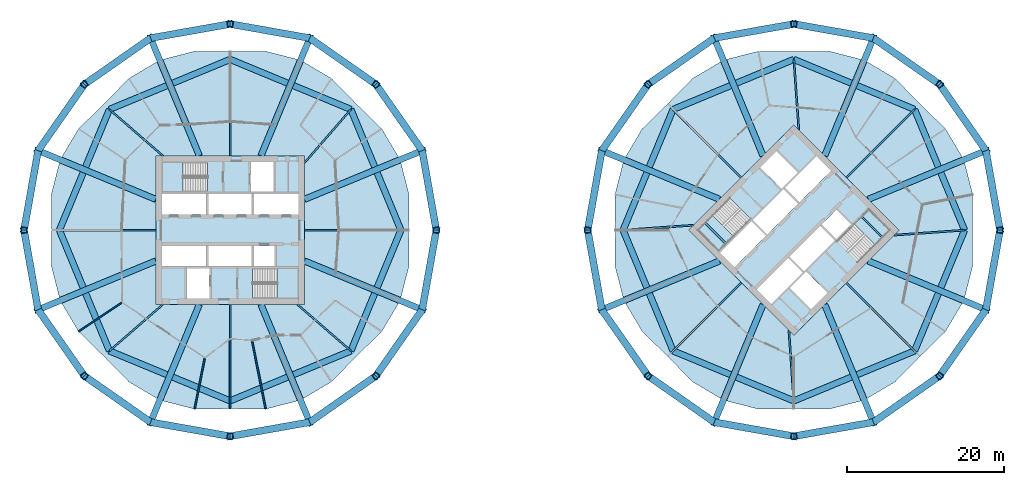
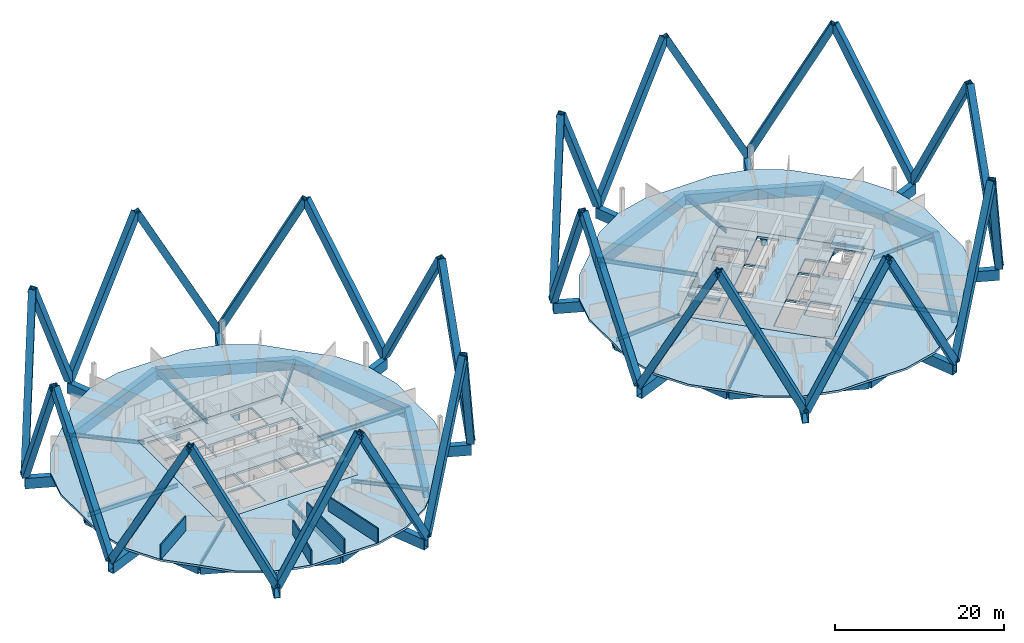
# One storey, part 3 of 9: 50 beams, 32 members, 8 slabs, 4 walls, 4 elements without a shape of their own.
"""IFC4 building model written with IfcOpenShell, lengths in metres."""

from ifc_helpers import new_model, si_unit, direction, frame, frame_2d, origin, origin_2d, place, context, subcontext, project, spatial, polyline, rectangle, hollow_rectangle, i_section, outline, extrude, material, layer, layer_set, material_profile, profile_set, type_object, element, aggregate, save


model = new_model("IFC4")

# Units and contexts
model_context = context("Model", 3, precision=1e-05, world=origin(), true_north=direction((0.0, 1.0)))
body_context = subcontext(model_context, "Body", "Model", "MODEL_VIEW")
ifc_project = project(units=[si_unit("LENGTHUNIT", "METRE"), si_unit("AREAUNIT", "SQUARE_METRE"), si_unit("VOLUMEUNIT", "CUBIC_METRE"), si_unit("PLANEANGLEUNIT", "RADIAN"), si_unit("MASSUNIT", "GRAM", prefix="KILO")], contexts=[model_context])

# Site, building, storey
site_placement = place(None, origin())
site = spatial("IfcSite", under=ifc_project, at=site_placement, CompositionType="ELEMENT")
building_placement = place(site_placement, origin())
building = spatial("IfcBuilding", under=site, at=building_placement, Name="Ogive Gate Towers", CompositionType="ELEMENT")
storey_placement = place(building_placement, frame((0.0, 0.0, 51.89990234375)))
storey = spatial("IfcBuildingStorey", under=building, at=storey_placement, Name="L11", CompositionType="ELEMENT", Elevation=51.89990234375)

# Members
ifc_material_1 = material(Name="Steel SM460", Category="steel")
ifc_material_profile_1 = material_profile(ifc_material_1, hollow_rectangle(XDim=0.89990234375, YDim=0.89990234375, WallThickness=0.10009765625, at=origin_2d()), Name="BX 900x900x100")
ifc_profile_set_1 = profile_set([ifc_material_profile_1], Name="Steel SM460")
member_type = type_object("IfcMemberType", Name="Diagrid diagonal BX 900x900x100", PredefinedType="BRACE", material=ifc_profile_set_1)
for number, where, z_axis, x_axis, name in (
    (1, (-11.470947265625, 10.16015625, 0.0), (0.081635515301, -0.460531869969, 0.883881236018), (0.984649642234, 0.17454249353, 0.0), "T1/L11/SDG001"),
    (2, (-11.470947265625, 10.16015625, 0.0), (-0.26792317626, 0.383376585781, 0.883877573591), (-0.819674069507, -0.572830184067, 0.0), "T1/L11/SDG002"),
    (3, (-25.83984375, 24.529052734375, 0.0), (0.383376585781, -0.26792317626, 0.883877573591), (0.572830184067, 0.819674069507, 0.0), "T1/L11/SDG003"),
    (4, (-25.83984375, 24.529052734375, 0.0), (-0.460531869969, 0.081635515301, 0.883881236018), (-0.17454249353, -0.984649642234, 0.0), "T1/L11/SDG004"),
    (5, (-46.16015625, 24.529052734375, 0.0), (0.460531869969, 0.081635515301, 0.883881236018), (-0.17454249353, 0.984649642234, 0.0), "T1/L11/SDG005"),
    (6, (-46.16015625, 24.529052734375, 0.0), (-0.383376585781, -0.26792317626, 0.883877573591), (0.572830184067, -0.819674069507, 0.0), "T1/L11/SDG006"),
    (7, (-60.529052734375, 10.16015625, 0.0), (0.26792317626, 0.383376585781, 0.883877573591), (-0.819674069507, 0.572830184067, 0.0), "T1/L11/SDG007"),
    (8, (-60.529052734375, 10.16015625, 0.0), (-0.081635515301, -0.460531869969, 0.883881236018), (0.984649642234, -0.17454249353, 0.0), "T1/L11/SDG008"),
    (9, (-60.529052734375, -10.16015625, 0.0), (-0.081635515301, 0.460531869969, 0.883881236018), (-0.984649642234, -0.17454249353, 0.0), "T1/L11/SDG009"),
    (10, (-60.529052734375, -10.16015625, 0.0), (0.26792317626, -0.383376585781, 0.883877573591), (0.819674069507, 0.572830184067, 0.0), "T1/L11/SDG010"),
    (11, (-46.16015625, -24.529052734375, 0.0), (-0.383376585781, 0.26792317626, 0.883877573591), (-0.572830184067, -0.819674069507, 0.0), "T1/L11/SDG011"),
    (12, (-46.16015625, -24.529052734375, 0.0), (0.460531869969, -0.081635515301, 0.883881236018), (0.17454249353, 0.984649642234, 0.0), "T1/L11/SDG012"),
    (13, (-25.83984375, -24.529052734375, 0.0), (-0.460531869969, -0.081635515301, 0.883881236018), (0.17454249353, -0.984649642234, 0.0), "T1/L11/SDG013"),
    (14, (-25.83984375, -24.529052734375, 0.0), (0.383376585781, 0.26792317626, 0.883877573591), (-0.572830184067, 0.819674069507, 0.0), "T1/L11/SDG014"),
    (15, (-11.470947265625, -10.16015625, 0.0), (-0.26792317626, -0.383376585781, 0.883877573591), (0.819674069507, -0.572830184067, 0.0), "T1/L11/SDG015"),
    (16, (-11.470947265625, -10.16015625, 0.0), (0.081635515301, 0.460531869969, 0.883881236018), (-0.984649642234, 0.17454249353, 0.0), "T1/L11/SDG016"),
    (17, (60.529052734375, 10.16015625, 0.0), (0.081635515301, -0.460531869969, 0.883881236018), (0.984649642234, 0.17454249353, 0.0), "T2/L11/SDG001"),
    (18, (60.529052734375, 10.16015625, 0.0), (-0.26792317626, 0.383376585781, 0.883877573591), (-0.819674069507, -0.572830184067, 0.0), "T2/L11/SDG002"),
    (19, (46.16015625, 24.529052734375, 0.0), (0.383376585781, -0.26792317626, 0.883877573591), (0.572830184067, 0.819674069507, 0.0), "T2/L11/SDG003"),
    (20, (46.16015625, 24.529052734375, 0.0), (-0.460531869969, 0.081635515301, 0.883881236018), (-0.17454249353, -0.984649642234, 0.0), "T2/L11/SDG004"),
    (21, (25.83984375, 24.529052734375, 0.0), (0.460531869969, 0.081635515301, 0.883881236018), (-0.17454249353, 0.984649642234, 0.0), "T2/L11/SDG005"),
    (22, (25.83984375, 24.529052734375, 0.0), (-0.383376585781, -0.26792317626, 0.883877573591), (0.572830184067, -0.819674069507, 0.0), "T2/L11/SDG006"),
    (23, (11.470947265625, 10.16015625, 0.0), (0.26792317626, 0.383376585781, 0.883877573591), (-0.819674069507, 0.572830184067, 0.0), "T2/L11/SDG007"),
    (24, (11.470947265625, 10.16015625, 0.0), (-0.081635515301, -0.460531869969, 0.883881236018), (0.984649642234, -0.17454249353, 0.0), "T2/L11/SDG008"),
    (25, (11.470947265625, -10.16015625, 0.0), (-0.081635515301, 0.460531869969, 0.883881236018), (-0.984649642234, -0.17454249353, 0.0), "T2/L11/SDG009"),
    (26, (11.470947265625, -10.16015625, 0.0), (0.26792317626, -0.383376585781, 0.883877573591), (0.819674069507, 0.572830184067, 0.0), "T2/L11/SDG010"),
    (27, (25.83984375, -24.529052734375, 0.0), (-0.383376585781, 0.26792317626, 0.883877573591), (-0.572830184067, -0.819674069507, 0.0), "T2/L11/SDG011"),
    (28, (25.83984375, -24.529052734375, 0.0), (0.460531869969, -0.081635515301, 0.883881236018), (0.17454249353, 0.984649642234, 0.0), "T2/L11/SDG012"),
    (29, (46.16015625, -24.529052734375, 0.0), (-0.460531869969, -0.081635515301, 0.883881236018), (0.17454249353, -0.984649642234, 0.0), "T2/L11/SDG013"),
    (30, (46.16015625, -24.529052734375, 0.0), (0.383376585781, 0.26792317626, 0.883877573591), (-0.572830184067, 0.819674069507, 0.0), "T2/L11/SDG014"),
    (31, (60.529052734375, -10.16015625, 0.0), (-0.26792317626, -0.383376585781, 0.883877573591), (0.819674069507, -0.572830184067, 0.0), "T2/L11/SDG015"),
    (32, (60.529052734375, -10.16015625, 0.0), (0.081635515301, 0.460531869969, 0.883881236018), (-0.984649642234, 0.17454249353, 0.0), "T2/L11/SDG016"),
):
    element("IfcMember", number, at=place(storey_placement, frame(where, z_axis=z_axis, x_axis=x_axis)), inside=storey, type_object=member_type, Name=name, PredefinedType="BRACE", context=body_context, shape_type="SweptSolid", body=[
        extrude(hollow_rectangle(XDim=0.89990234375, YDim=0.89990234375, WallThickness=0.10009765625, at=origin_2d()), origin(), (0.0, 0.0, 1.0), 22.061767578125),
    ])

# Beams
ifc_material_profile_2 = material_profile(ifc_material_1, hollow_rectangle(XDim=0.800048828125, YDim=1.5, WallThickness=0.06005859375, at=origin_2d()), Name="BX 1500x800x60")
ifc_profile_set_2 = profile_set([ifc_material_profile_2], Name="Steel SM460")
beam_type_1 = type_object("IfcBeamType", Name="Edge girder BX 1500x800x60", PredefinedType="BEAM", material=ifc_profile_set_2)
for number, where, z_axis, x_axis, name in (
    (33, (-51.422119140625, -15.422119140625, -1.0498046875), (0.923881893128, -0.382677733282, 0.0), (0.382677733282, 0.923881893128, 0.0), "T1/L11/SBM017"),
    (34, (-36.0, -21.81005859375, -1.0498046875), (0.923881893128, 0.382677733282, 0.0), (-0.382677733282, 0.923881893128, 0.0), "T1/L11/SBM018"),
    (35, (-20.577880859375, -15.422119140625, -1.0498046875), (0.382677733282, 0.923881893128, 0.0), (-0.923881893128, 0.382677733282, 0.0), "T1/L11/SBM019"),
    (36, (-14.18994140625, 0.0, -1.0498046875), (-0.382677733282, 0.923881893128, 0.0), (-0.923881893128, -0.382677733282, 0.0), "T1/L11/SBM020"),
    (37, (-20.577880859375, 15.422119140625, -1.0498046875), (-0.923881893128, 0.382677733282, 0.0), (-0.382677733282, -0.923881893128, 0.0), "T1/L11/SBM021"),
    (38, (-36.0, 21.81005859375, -1.0498046875), (-0.923881893128, -0.382677733282, 0.0), (0.382677733282, -0.923881893128, 0.0), "T1/L11/SBM022"),
    (39, (-51.422119140625, 15.422119140625, -1.0498046875), (-0.382677733282, -0.923881893128, 0.0), (0.923881893128, -0.382677733282, 0.0), "T1/L11/SBM023"),
    (40, (-57.81005859375, 0.0, -1.0498046875), (0.382677733282, -0.923881893128, 0.0), (0.923881893128, 0.382677733282, 0.0), "T1/L11/SBM024"),
    (41, (20.577880859375, -15.422119140625, -1.0498046875), (0.923881893128, -0.382677733282, 0.0), (0.382677733282, 0.923881893128, 0.0), "T2/L11/SBM017"),
    (42, (36.0, -21.81005859375, -1.0498046875), (0.923881893128, 0.382677733282, 0.0), (-0.382677733282, 0.923881893128, 0.0), "T2/L11/SBM018"),
    (43, (51.422119140625, -15.422119140625, -1.0498046875), (0.382677733282, 0.923881893128, 0.0), (-0.923881893128, 0.382677733282, 0.0), "T2/L11/SBM019"),
    (44, (57.81005859375, 0.0, -1.0498046875), (-0.382677733282, 0.923881893128, 0.0), (-0.923881893128, -0.382677733282, 0.0), "T2/L11/SBM020"),
    (45, (51.422119140625, 15.422119140625, -1.0498046875), (-0.923881893128, 0.382677733282, 0.0), (-0.382677733282, -0.923881893128, 0.0), "T2/L11/SBM021"),
    (46, (36.0, 21.81005859375, -1.0498046875), (-0.923881893128, -0.382677733282, 0.0), (0.382677733282, -0.923881893128, 0.0), "T2/L11/SBM022"),
    (47, (20.577880859375, 15.422119140625, -1.0498046875), (-0.382677733282, -0.923881893128, 0.0), (0.923881893128, -0.382677733282, 0.0), "T2/L11/SBM023"),
    (48, (14.18994140625, 0.0, -1.0498046875), (0.382677733282, -0.923881893128, 0.0), (0.923881893128, 0.382677733282, 0.0), "T2/L11/SBM024"),
):
    element("IfcBeam", number, at=place(storey_placement, frame(where, z_axis=z_axis, x_axis=x_axis)), inside=storey, type_object=beam_type_1, Name=name, PredefinedType="BEAM", context=body_context, shape_type="SweptSolid", body=[
        extrude(hollow_rectangle(XDim=0.800048828125, YDim=1.5, WallThickness=0.06005859375, at=origin_2d()), origin(), (0.0, 0.0, 1.0), 16.692626953125),
    ])
ifc_material_2 = material(Name="Concrete C40/50", Category="concrete")
ifc_material_profile_3 = material_profile(ifc_material_2, rectangle(XDim=0.25, YDim=0.300048828125, at=origin_2d()), Name="RC 250x300")
ifc_profile_set_3 = profile_set([ifc_material_profile_3], Name="Concrete C40/50")
beam_type_2 = type_object("IfcBeamType", Name="Landing bearer RC 250x300", PredefinedType="BEAM", material=ifc_profile_set_3)
for number, where, z_axis, x_axis, name in (
    (49, (24.650390625, 0.9541015625, 1.60009765625), (0.707106781187, -0.707106781187, 0.0), (0.707106781187, 0.707106781187, 0.0), "T2 L11 stair 1 landing bearer 1"),
    (50, (47.349609375, -0.9541015625, 1.60009765625), (-0.707106781187, 0.707106781187, 0.0), (-0.707106781187, -0.707106781187, 0.0), "T2 L11 stair 2 landing bearer 1"),
):
    element("IfcBeam", number, at=place(storey_placement, frame(where, z_axis=z_axis, x_axis=x_axis)), inside=storey, type_object=beam_type_2, Name=name, PredefinedType="BEAM", context=body_context, shape_type="SweptSolid", body=[
        extrude(rectangle(XDim=0.25, YDim=0.300048828125, at=origin_2d()), origin(), (0.0, 0.0, 1.0), 3.824951171875),
    ])
ifc_material_3 = material(Name="Steel SM355", Category="steel")
ifc_material_profile_4 = material_profile(ifc_material_3, i_section(OverallWidth=0.2099609375, OverallDepth=0.550048828125, WebThickness=0.010986328125, FlangeThickness=0.01708984375, FilletRadius=0.02392578125, at=origin_2d()), Name="IPE 550")
ifc_profile_set_4 = profile_set([ifc_material_profile_4], Name="Steel SM355")
beam_type_3 = type_object("IfcBeamType", Name="Radial floor beam IPE 550", PredefinedType="BEAM", material=ifc_profile_set_4)
for number, where, z_axis, x_axis, name in (
    (51, (-44.60009765625, -9.5, -0.574951171875), (-0.755157389596, -0.655543527875, 0.0), (0.655543527875, -0.755157389596, 0.0), "T1/L11/SBM001"),
    (52, (-27.39990234375, -9.5, -0.574951171875), (0.755157389596, -0.655543527875, 0.0), (0.655543527875, 0.755157389596, 0.0), "T1/L11/SBM005"),
    (53, (-26.5, 8.60009765625, -0.574951171875), (0.655543527875, 0.755157389596, 0.0), (-0.755157389596, 0.655543527875, 0.0), "T1/L11/SBM009"),
    (54, (-44.60009765625, 9.5, -0.574951171875), (-0.755157389596, 0.655543527875, 0.0), (-0.655543527875, -0.755157389596, 0.0), "T1/L11/SBM013"),
    (55, (35.363525390625, -12.798583984375, -0.574951171875), (0.070453840617, -0.99751504066, 0.0), (0.99751504066, 0.070453840617, 0.0), "T2/L11/SBM003"),
    (56, (48.798583984375, -0.636474609375, -0.574951171875), (0.99751504066, 0.070453840617, 0.0), (-0.070453840617, 0.99751504066, 0.0), "T2/L11/SBM007"),
    (57, (36.636474609375, 12.798583984375, -0.574951171875), (-0.070453840617, 0.99751504066, 0.0), (-0.99751504066, -0.070453840617, 0.0), "T2/L11/SBM011"),
    (58, (23.201416015625, 0.636474609375, -0.574951171875), (-0.99751504066, -0.070453840617, 0.0), (0.070453840617, -0.99751504066, 0.0), "T2/L11/SBM015"),
):
    element("IfcBeam", number, at=place(storey_placement, frame(where, z_axis=z_axis, x_axis=x_axis)), inside=storey, type_object=beam_type_3, Name=name, PredefinedType="BEAM", context=body_context, shape_type="SweptSolid", body=[
        extrude(i_section(OverallWidth=0.2099609375, OverallDepth=0.550048828125, WebThickness=0.010986328125, FlangeThickness=0.01708984375, FilletRadius=0.02392578125, at=origin_2d()), origin(), (0.0, 0.0, 1.0), 9.033935546875),
    ])
ifc_material_profile_5 = material_profile(ifc_material_3, i_section(OverallWidth=0.219970703125, OverallDepth=0.60009765625, WebThickness=0.011962890625, FlangeThickness=0.01904296875, FilletRadius=0.02392578125, at=origin_2d()), Name="IPE 600")
ifc_profile_set_5 = profile_set([ifc_material_profile_5], Name="Steel SM355")
beam_type_4 = type_object("IfcBeamType", Name="Radial floor beam IPE 600", PredefinedType="BEAM", material=ifc_profile_set_5)
for number, where, z_axis, x_axis, name in (
    (59, (-36.0, -9.5, -0.599853515625), (0.0, -1.0, 0.0), (1.0, 0.0, 0.0), "T1/L11/SBM003"),
    (60, (-26.5, 0.0, -0.599853515625), (1.0, 0.0, 0.0), (0.0, 1.0, 0.0), "T1/L11/SBM007"),
    (61, (-36.0, 9.5, -0.599853515625), (0.0, 1.0, 0.0), (-1.0, 0.0, 0.0), "T1/L11/SBM011"),
    (62, (-45.5, 0.0, -0.599853515625), (-1.0, 0.0, 0.0), (0.0, -1.0, 0.0), "T1/L11/SBM015"),
    (63, (29.282470703125, -6.717529296875, -0.599853515625), (-0.707106781187, -0.707106781187, 0.0), (0.707106781187, -0.707106781187, 0.0), "T2/L11/SBM001"),
    (64, (42.717529296875, -6.717529296875, -0.599853515625), (0.707106781187, -0.707106781187, 0.0), (0.707106781187, 0.707106781187, 0.0), "T2/L11/SBM005"),
    (65, (42.717529296875, 6.717529296875, -0.599853515625), (0.707106781187, 0.707106781187, 0.0), (-0.707106781187, 0.707106781187, 0.0), "T2/L11/SBM009"),
    (66, (29.282470703125, 6.717529296875, -0.599853515625), (-0.707106781187, 0.707106781187, 0.0), (-0.707106781187, -0.707106781187, 0.0), "T2/L11/SBM013"),
):
    element("IfcBeam", number, at=place(storey_placement, frame(where, z_axis=z_axis, x_axis=x_axis)), inside=storey, type_object=beam_type_4, Name=name, PredefinedType="BEAM", context=body_context, shape_type="SweptSolid", body=[
        extrude(i_section(OverallWidth=0.219970703125, OverallDepth=0.60009765625, WebThickness=0.011962890625, FlangeThickness=0.01904296875, FilletRadius=0.02392578125, at=origin_2d()), origin(), (0.0, 0.0, 1.0), 12.31005859375),
    ])
ifc_material_profile_6 = material_profile(ifc_material_1, hollow_rectangle(XDim=0.800048828125, YDim=1.5, WallThickness=0.06005859375, at=origin_2d()), Name="BX 1500x800x60")
ifc_profile_set_6 = profile_set([ifc_material_profile_6], Name="Steel SM460")
beam_type_5 = type_object("IfcBeamType", Name="Transfer radial beam BX 1500x800x60", PredefinedType="BEAM", material=ifc_profile_set_6)
for number, where, z_axis, x_axis, name in (
    (67, (-39.93505859375, -9.5, -1.0498046875), (-0.382676096129, -0.923882571246, 0.0), (0.923882571246, -0.382676096129, 0.0), "T1/L11/SBM002"),
    (68, (-32.06494140625, -9.5, -1.0498046875), (0.382676096129, -0.923882571246, 0.0), (0.923882571246, 0.382676096129, 0.0), "T1/L11/SBM004"),
    (69, (-26.5, -3.93505859375, -1.0498046875), (0.923882571246, -0.382676096129, 0.0), (0.382676096129, 0.923882571246, 0.0), "T1/L11/SBM006"),
    (70, (-26.5, 3.93505859375, -1.0498046875), (0.923882571246, 0.382676096129, 0.0), (-0.382676096129, 0.923882571246, 0.0), "T1/L11/SBM008"),
    (71, (-32.06494140625, 9.5, -1.0498046875), (0.382676096129, 0.923882571246, 0.0), (-0.923882571246, 0.382676096129, 0.0), "T1/L11/SBM010"),
    (72, (-39.93505859375, 9.5, -1.0498046875), (-0.382676096129, 0.923882571246, 0.0), (-0.923882571246, -0.382676096129, 0.0), "T1/L11/SBM012"),
    (73, (-45.5, 3.93505859375, -1.0498046875), (-0.923882571246, 0.382676096129, 0.0), (-0.382676096129, -0.923882571246, 0.0), "T1/L11/SBM014"),
    (74, (-45.5, -3.93505859375, -1.0498046875), (-0.923882571246, -0.382676096129, 0.0), (0.382676096129, -0.923882571246, 0.0), "T1/L11/SBM016"),
    (75, (32.06494140625, -9.5, -1.0498046875), (-0.382676096129, -0.923882571246, 0.0), (0.923882571246, -0.382676096129, 0.0), "T2/L11/SBM002"),
    (76, (39.93505859375, -9.5, -1.0498046875), (0.382676096129, -0.923882571246, 0.0), (0.923882571246, 0.382676096129, 0.0), "T2/L11/SBM004"),
    (77, (45.5, -3.93505859375, -1.0498046875), (0.923882571246, -0.382676096129, 0.0), (0.382676096129, 0.923882571246, 0.0), "T2/L11/SBM006"),
    (78, (45.5, 3.93505859375, -1.0498046875), (0.923882571246, 0.382676096129, 0.0), (-0.382676096129, 0.923882571246, 0.0), "T2/L11/SBM008"),
    (79, (39.93505859375, 9.5, -1.0498046875), (0.382676096129, 0.923882571246, 0.0), (-0.923882571246, 0.382676096129, 0.0), "T2/L11/SBM010"),
    (80, (32.06494140625, 9.5, -1.0498046875), (-0.382676096129, 0.923882571246, 0.0), (-0.923882571246, -0.382676096129, 0.0), "T2/L11/SBM012"),
    (81, (26.5, 3.93505859375, -1.0498046875), (-0.923882571246, 0.382676096129, 0.0), (-0.382676096129, -0.923882571246, 0.0), "T2/L11/SBM014"),
    (82, (26.5, -3.93505859375, -1.0498046875), (-0.923882571246, -0.382676096129, 0.0), (0.382676096129, -0.923882571246, 0.0), "T2/L11/SBM016"),
):
    element("IfcBeam", number, at=place(storey_placement, frame(where, z_axis=z_axis, x_axis=x_axis)), inside=storey, type_object=beam_type_5, Name=name, PredefinedType="BEAM", context=body_context, shape_type="SweptSolid", body=[
        extrude(hollow_rectangle(XDim=0.800048828125, YDim=1.5, WallThickness=0.06005859375, at=origin_2d()), origin(), (0.0, 0.0, 1.0), 16.267333984375),
    ])

# Slabs
ifc_layer_1 = layer(ifc_material_2, 0.300048828125)
ifc_layer_set_1 = layer_set([ifc_layer_1], Name="Core slab C40/50 300 mm")
slab_type_1 = type_object("IfcSlabType", Name="Core slab C40/50 300 mm", PredefinedType="FLOOR", material=ifc_layer_set_1)
slab_1_placement = place(storey_placement, frame((0.0, 0.0, -0.2998046875)))
element("IfcSlab", 83, at=slab_1_placement, inside=storey, type_object=slab_type_1, Name="T1 L11 core slab", PredefinedType="FLOOR", context=body_context, shape_type="SweptSolid", body=[
    extrude(outline(polyline([(-26.5, 9.5), (-26.5, -9.5), (-45.5, -9.5), (-45.5, 9.5), (-26.5, 9.5)]), holes=[polyline([(-39.02490234375, 4.625), (-44.699951171875, 4.625), (-44.699951171875, 2.0), (-39.02490234375, 2.0), (-39.02490234375, 4.625)]), polyline([(-33.22509765625, 2.0), (-33.22509765625, 4.625), (-38.77490234375, 4.625), (-38.77490234375, 2.0), (-33.22509765625, 2.0)]), polyline([(-32.97509765625, 2.0), (-27.300048828125, 2.0), (-27.300048828125, 4.625), (-32.97509765625, 4.625), (-32.97509765625, 2.0)]), polyline([(-44.699951171875, -2.0), (-44.699951171875, -4.625), (-39.02490234375, -4.625), (-39.02490234375, -2.0), (-44.699951171875, -2.0)]), polyline([(-33.22509765625, -2.0), (-38.77490234375, -2.0), (-38.77490234375, -4.625), (-33.22509765625, -4.625), (-33.22509765625, -2.0)]), polyline([(-30.324951171875, -4.625), (-30.324951171875, -2.0), (-32.97509765625, -2.0), (-32.97509765625, -4.625), (-30.324951171875, -4.625)]), polyline([(-33.375, 4.875), (-30.425048828125, 4.875), (-30.425048828125, 8.699951171875), (-33.375, 8.699951171875), (-33.375, 4.875)]), polyline([(-41.574951171875, -4.875), (-41.574951171875, -8.699951171875), (-38.625, -8.699951171875), (-38.625, -4.875), (-41.574951171875, -4.875)]), polyline([(-44.699951171875, 4.875), (-38.885009765625, 4.875), (-38.885009765625, 8.699951171875), (-44.699951171875, 8.699951171875), (-44.699951171875, 4.875)]), polyline([(-27.300048828125, -8.699951171875), (-27.300048828125, -4.875), (-33.114990234375, -4.875), (-33.114990234375, -8.699951171875), (-27.300048828125, -8.699951171875)])]), origin(), (0.0, 0.0, 1.0), 0.2998046875),
])
slab_2_placement = place(storey_placement, frame((0.0, 0.0, -0.2998046875)))
element("IfcSlab", 84, at=slab_2_placement, inside=storey, type_object=slab_type_1, Name="T2 L11 core slab", PredefinedType="FLOOR", context=body_context, shape_type="SweptSolid", body=[
    extrude(outline(polyline([(36.0, 13.43505859375), (49.43505859375, 0.0), (36.0, -13.43505859375), (22.56494140625, 0.0), (36.0, 13.43505859375)]), holes=[polyline([(30.590576171875, 1.13134765625), (26.577880859375, -2.881591796875), (28.43408203125, -4.737548828125), (32.44677734375, -0.724853515625), (30.590576171875, 1.13134765625)]), polyline([(36.548095703125, 3.37646484375), (34.69189453125, 5.232666015625), (30.767333984375, 1.30810546875), (32.62353515625, -0.548095703125), (36.548095703125, 3.37646484375)]), polyline([(36.724853515625, 3.55322265625), (40.737548828125, 7.56591796875), (38.881591796875, 9.422119140625), (34.86865234375, 5.409423828125), (36.724853515625, 3.55322265625)]), polyline([(31.262451171875, -7.56591796875), (33.118408203125, -9.422119140625), (37.13134765625, -5.409423828125), (35.275146484375, -3.55322265625), (31.262451171875, -7.56591796875)]), polyline([(39.37646484375, 0.548095703125), (35.451904296875, -3.37646484375), (37.30810546875, -5.232666015625), (41.232666015625, -1.30810546875), (39.37646484375, 0.548095703125)]), polyline([(43.283203125, 0.742431640625), (41.427001953125, 2.5986328125), (39.55322265625, 0.724853515625), (41.409423828125, -1.13134765625), (43.283203125, 0.742431640625)]), polyline([(34.408935546875, 5.30322265625), (36.4951171875, 7.389404296875), (33.790283203125, 10.093994140625), (31.704345703125, 8.008056640625), (34.408935546875, 5.30322265625)]), polyline([(35.5048828125, -7.389404296875), (38.209716796875, -10.093994140625), (40.295654296875, -8.008056640625), (37.591064453125, -5.30322265625), (35.5048828125, -7.389404296875)]), polyline([(26.40087890625, -2.70458984375), (30.512939453125, 1.406982421875), (27.80810546875, 4.11181640625), (23.6962890625, 0.0), (26.40087890625, -2.70458984375)]), polyline([(48.3037109375, 0.0), (45.59912109375, 2.70458984375), (41.487060546875, -1.406982421875), (44.19189453125, -4.11181640625), (48.3037109375, 0.0)])]), origin(), (0.0, 0.0, 1.0), 0.2998046875),
])
ifc_material_4 = material(Name="Concrete C35/45", Category="concrete")
ifc_layer_2 = layer(ifc_material_4, 0.300048828125)
ifc_layer_set_2 = layer_set([ifc_layer_2], Name="Floor slab 300")
slab_type_2 = type_object("IfcSlabType", Name="Floor slab 300", PredefinedType="FLOOR", material=ifc_layer_set_2)
slab_3_placement = place(storey_placement, frame((0.0, 0.0, -0.2998046875)))
element("IfcSlab", 85, at=slab_3_placement, inside=storey, type_object=slab_type_2, Name="T1/L11/SSL001", PredefinedType="FLOOR", context=body_context, shape_type="SweptSolid", body=[
    extrude(outline(polyline([(-13.147705078125, -4.545654296875), (-13.199951171875, 0.0), (-13.147705078125, 4.545654296875), (-14.288818359375, 8.9931640625), (-16.626708984375, 12.94482421875), (-19.8779296875, 16.1220703125), (-23.05517578125, 19.373291015625), (-27.0068359375, 21.711181640625), (-31.454345703125, 22.852294921875), (-36.0, 22.800048828125), (-40.545654296875, 22.852294921875), (-44.9931640625, 21.711181640625), (-48.94482421875, 19.373291015625), (-52.1220703125, 16.1220703125), (-55.373291015625, 12.94482421875), (-57.711181640625, 8.9931640625), (-58.852294921875, 4.545654296875), (-58.800048828125, 0.0), (-58.852294921875, -4.545654296875), (-57.711181640625, -8.9931640625), (-55.373291015625, -12.94482421875), (-52.1220703125, -16.1220703125), (-48.94482421875, -19.373291015625), (-44.9931640625, -21.711181640625), (-40.545654296875, -22.852294921875), (-36.0, -22.800048828125), (-31.454345703125, -22.852294921875), (-27.0068359375, -21.711181640625), (-23.05517578125, -19.373291015625), (-19.8779296875, -16.1220703125), (-16.626708984375, -12.94482421875), (-14.288818359375, -8.9931640625), (-13.147705078125, -4.545654296875)]), holes=[polyline([(-26.5, -9.5), (-45.5, -9.5), (-45.5, 9.5), (-26.5, 9.5), (-26.5, -9.5)])]), origin(), (0.0, 0.0, 1.0), 0.2998046875),
])
slab_4_placement = place(storey_placement, frame((0.0, 0.0, -0.2998046875)))
element("IfcSlab", 86, at=slab_4_placement, inside=storey, type_object=slab_type_2, Name="T2/L11/SSL001", PredefinedType="FLOOR", context=body_context, shape_type="SweptSolid", body=[
    extrude(outline(polyline([(58.852294921875, -4.545654296875), (58.800048828125, 0.0), (58.852294921875, 4.545654296875), (57.711181640625, 8.9931640625), (55.373291015625, 12.94482421875), (52.1220703125, 16.1220703125), (48.94482421875, 19.373291015625), (44.9931640625, 21.711181640625), (40.545654296875, 22.852294921875), (36.0, 22.800048828125), (31.454345703125, 22.852294921875), (27.0068359375, 21.711181640625), (23.05517578125, 19.373291015625), (19.8779296875, 16.1220703125), (16.626708984375, 12.94482421875), (14.288818359375, 8.9931640625), (13.147705078125, 4.545654296875), (13.199951171875, 0.0), (13.147705078125, -4.545654296875), (14.288818359375, -8.9931640625), (16.626708984375, -12.94482421875), (19.8779296875, -16.1220703125), (23.05517578125, -19.373291015625), (27.0068359375, -21.711181640625), (31.454345703125, -22.852294921875), (36.0, -22.800048828125), (40.545654296875, -22.852294921875), (44.9931640625, -21.711181640625), (48.94482421875, -19.373291015625), (52.1220703125, -16.1220703125), (55.373291015625, -12.94482421875), (57.711181640625, -8.9931640625), (58.852294921875, -4.545654296875)]), holes=[polyline([(49.43505859375, 0.0), (36.0, -13.43505859375), (22.56494140625, 0.0), (36.0, 13.43505859375), (49.43505859375, 0.0)])]), origin(), (0.0, 0.0, 1.0), 0.2998046875),
])

# Stair, slab
stair_type = type_object("IfcStairType", Name="Escape stair 1840 wide", PredefinedType="HALF_TURN_STAIR", material=ifc_material_2)
stair_1_placement = place(storey_placement, origin())
stair_1 = element("IfcStair", 87, at=stair_1_placement, inside=storey, type_object=stair_type, Name="L11 Escape stair 1", PredefinedType="HALF_TURN_STAIR")
ifc_layer_3 = layer(ifc_material_2, 0.199951171875)
ifc_layer_set_3 = layer_set([ifc_layer_3], Name="Stair landing 200 mm")
slab_type_3 = type_object("IfcSlabType", Name="Stair landing 200 mm", PredefinedType="LANDING", material=ifc_layer_set_3)
slab_5_placement = place(storey_placement, frame((0.0, 0.0, 1.75)))
slab_5 = element("IfcSlab", 88, at=slab_5_placement, type_object=slab_type_3, Name="ST1 landing 1", PredefinedType="LANDING", context=body_context, shape_type="SweptSolid", body=[
    extrude(outline(polyline([(-42.00146484375, 8.699951171875), (-44.699951171875, 8.699951171875), (-44.699951171875, 4.875), (-42.00146484375, 4.875), (-42.00146484375, 8.699951171875)])), origin(), (0.0, 0.0, 1.0), 0.2001953125),
])
aggregate(stair_1, [slab_5])

stair_2_placement = place(storey_placement, origin())
stair_2 = element("IfcStair", 89, at=stair_2_placement, inside=storey, type_object=stair_type, Name="L11 Escape stair 2", PredefinedType="HALF_TURN_STAIR")
slab_6_placement = place(storey_placement, frame((0.0, 0.0, 1.75)))
slab_6 = element("IfcSlab", 90, at=slab_6_placement, type_object=slab_type_3, Name="ST2 landing 1", PredefinedType="LANDING", context=body_context, shape_type="SweptSolid", body=[
    extrude(outline(polyline([(-29.99853515625, -8.699951171875), (-27.300048828125, -8.699951171875), (-27.300048828125, -4.875), (-29.99853515625, -4.875), (-29.99853515625, -8.699951171875)])), origin(), (0.0, 0.0, 1.0), 0.2001953125),
])
aggregate(stair_2, [slab_6])

stair_3_placement = place(storey_placement, origin())
stair_3 = element("IfcStair", 91, at=stair_3_placement, inside=storey, type_object=stair_type, Name="L11 Escape stair 1", PredefinedType="HALF_TURN_STAIR")
slab_7_placement = place(storey_placement, frame((0.0, 0.0, 1.75)))
slab_7 = element("IfcSlab", 92, at=slab_7_placement, type_object=slab_type_3, Name="ST1 landing 1", PredefinedType="LANDING", context=body_context, shape_type="SweptSolid", body=[
    extrude(outline(polyline([(25.6044921875, 1.908203125), (23.6962890625, 0.0), (26.401123046875, -2.70458984375), (28.309326171875, -0.79638671875), (25.6044921875, 1.908203125)])), origin(), (0.0, 0.0, 1.0), 0.2001953125),
])
aggregate(stair_3, [slab_7])

stair_4_placement = place(storey_placement, origin())
stair_4 = element("IfcStair", 93, at=stair_4_placement, inside=storey, type_object=stair_type, Name="L11 Escape stair 2", PredefinedType="HALF_TURN_STAIR")
slab_8_placement = place(storey_placement, frame((0.0, 0.0, 1.75)))
slab_8 = element("IfcSlab", 94, at=slab_8_placement, type_object=slab_type_3, Name="ST2 landing 1", PredefinedType="LANDING", context=body_context, shape_type="SweptSolid", body=[
    extrude(outline(polyline([(46.3955078125, -1.908203125), (48.3037109375, 0.0), (45.598876953125, 2.70458984375), (43.690673828125, 0.79638671875), (46.3955078125, -1.908203125)])), origin(), (0.0, 0.0, 1.0), 0.2001953125),
])
aggregate(stair_4, [slab_8])

# Walls
ifc_material_5 = material(Name="Gypsum board acoustic partition")
ifc_layer_4 = layer(ifc_material_5, 0.175048828125)
ifc_layer_set_4 = layer_set([ifc_layer_4], Name="Acoustic partition 175")
wall_type = type_object("IfcWallType", Name="Acoustic partition 175", PredefinedType="PARTITIONING", material=ifc_layer_set_4)
wall_1_placement = place(storey_placement, frame((-55.36865234375, -12.950927734375, 0.0), z_axis=(0.0, 0.0, 1.0), x_axis=(0.831291653467, 0.555836474941, 0.0)))
element("IfcWall", 95, at=wall_1_placement, inside=storey, type_object=wall_type, Name="Partition T1-L11-010", PredefinedType="PARTITIONING", context=body_context, shape_type="SweptSolid", body=[
    extrude(rectangle(XDim=6.591552734375, YDim=0.175048828125, at=frame_2d((3.2958984375, 0.0))), origin(), (0.0, 0.0, 1.0), 2.10009765625),
])
wall_2_placement = place(storey_placement, frame((-40.5380859375, -22.853271484375, 0.0), z_axis=(0.0, 0.0, 1.0), x_axis=(0.194791079336, 0.98084475602, 0.0)))
element("IfcWall", 96, at=wall_2_placement, inside=storey, type_object=wall_type, Name="Partition T1-L11-011", PredefinedType="PARTITIONING", context=body_context, shape_type="SweptSolid", body=[
    extrude(rectangle(XDim=6.59130859375, YDim=0.175048828125, at=frame_2d((3.295654296875, 0.0))), origin(), (0.0, 0.0, 1.0), 2.10009765625),
])
for number, where, z_axis, x_axis, name in (
    (97, (-36.0, -22.799072265625, 0.0), (0.0, 0.0, 1.0), (0.0, 1.0, 0.0), "Partition T1-L11-012"),
    (98, (-31.4619140625, -22.853271484375, 0.0), (0.0, 0.0, 1.0), (-0.194783088944, 0.980846342839, 0.0), "Partition T1-L11-013"),
):
    element("IfcWall", number, at=place(storey_placement, frame(where, z_axis=z_axis, x_axis=x_axis)), inside=storey, type_object=wall_type, Name=name, PredefinedType="PARTITIONING", context=body_context, shape_type="SweptSolid", body=[
        extrude(rectangle(XDim=8.841552734375, YDim=0.175048828125, at=frame_2d((4.4208984375, 0.0))), origin(), (0.0, 0.0, 1.0), 2.10009765625),
    ])

save(model, "model.ifc")
